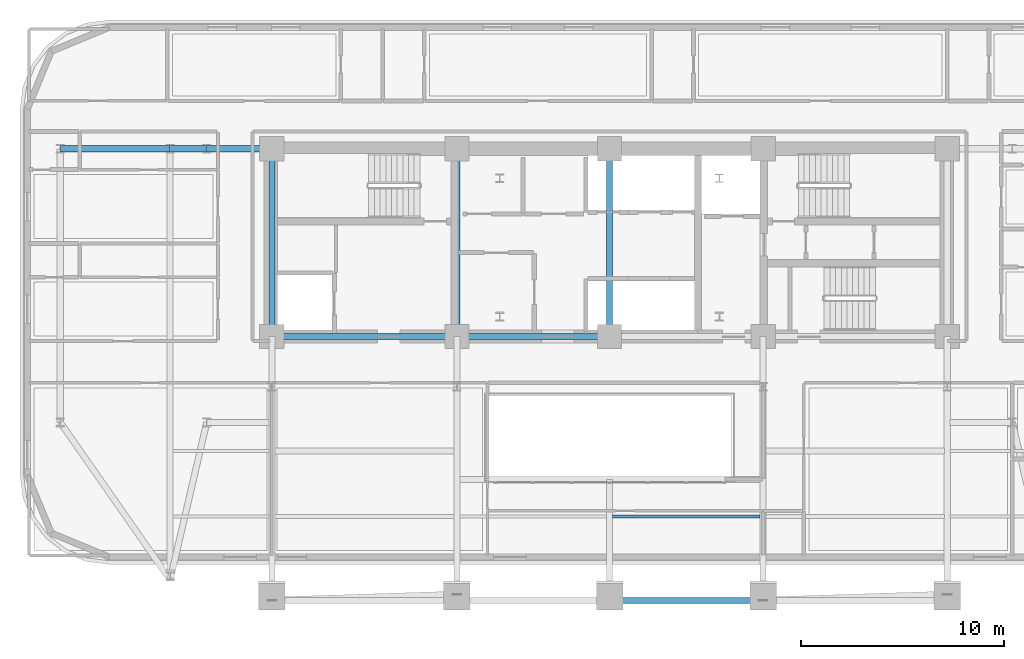
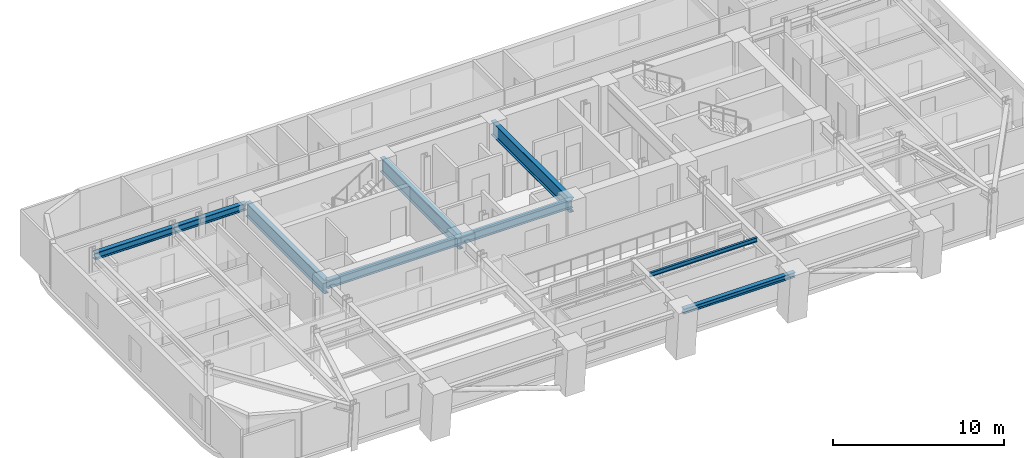
# One storey, part 3 of 14: 10 beams.
"""IFC4 building model written with IfcOpenShell, lengths in metres."""

from ifc_helpers import new_model, si_unit, direction, frame, origin, origin_2d, place, context, subcontext, project, spatial, i_section, extrude, material, material_profile, profile_set, type_object, element, save


model = new_model("IFC4")

# Units and contexts
model_context = context("Model", 3, precision=1e-05, world=origin(), true_north=direction((0.0, 1.0)))
body_context = subcontext(model_context, "Body", "Model", "MODEL_VIEW")
ifc_project = project(units=[si_unit("LENGTHUNIT", "METRE"), si_unit("AREAUNIT", "SQUARE_METRE"), si_unit("VOLUMEUNIT", "CUBIC_METRE"), si_unit("PLANEANGLEUNIT", "RADIAN"), si_unit("MASSUNIT", "GRAM", prefix="KILO")], contexts=[model_context])

# Site, building, storey
site_placement = place(None, origin())
site = spatial("IfcSite", under=ifc_project, at=site_placement, CompositionType="ELEMENT")
building_placement = place(site_placement, origin())
building = spatial("IfcBuilding", under=site, at=building_placement, Name="Zarnavel Station Tower", CompositionType="ELEMENT")
storey_placement = place(building_placement, frame((0.0, 0.0, 122.300048828125)))
storey = spatial("IfcBuildingStorey", under=building, at=storey_placement, Name="L33", CompositionType="ELEMENT", Elevation=122.300048828125)

# Beams
ifc_material_1 = material(Name="Steel S355J2", Category="steel")
ifc_material_profile_1 = material_profile(ifc_material_1, i_section(OverallWidth=0.300048828125, OverallDepth=0.360107421875, WebThickness=0.012451171875, FlangeThickness=0.0224609375, FilletRadius=0.027099609375, at=origin_2d()), Name="HEB360")
ifc_profile_set_1 = profile_set([ifc_material_profile_1], Name="Steel S355J2")
beam_type_1 = type_object("IfcBeamType", Name="EB_HEB360", PredefinedType="SPANDREL", material=ifc_profile_set_1)
beam_1_placement = place(storey_placement, frame((28.800048828125, 14.8515625, 3.06005859375), z_axis=(1.0, 0.0, 0.0), x_axis=(0.0, 1.0, 0.0)))
element("IfcBeam", 1, at=beam_1_placement, inside=storey, type_object=beam_type_1, Name="L33 South Raked Spandrel 3", PredefinedType="SPANDREL", context=body_context, shape_type="SweptSolid", body=[
    extrude(i_section(OverallWidth=0.300048828125, OverallDepth=0.360107421875, WebThickness=0.012451171875, FlangeThickness=0.0224609375, FilletRadius=0.027099609375, at=origin_2d()), origin(), (0.0, 0.0, 1.0), 7.550048828125),
])
ifc_material_2 = material(Name="Steel S355J2", Category="steel")
ifc_material_profile_2 = material_profile(ifc_material_2, i_section(OverallWidth=0.300048828125, OverallDepth=0.5, WebThickness=0.014404296875, FlangeThickness=0.028076171875, FilletRadius=0.027099609375, at=origin_2d()), Name="HEB500")
ifc_profile_set_2 = profile_set([ifc_material_profile_2], Name="Steel S355J2")
beam_type_2 = type_object("IfcBeamType", Name="FG_HEB500", PredefinedType="USERDEFINED", material=ifc_profile_set_2)
beam_2_placement = place(storey_placement, frame((1.800048828125, 37.050048828125, 2.989990234375), z_axis=(1.0, 0.0, 0.0), x_axis=(0.0, 1.0, 0.0)))
element("IfcBeam", 2, at=beam_2_placement, inside=storey, type_object=beam_type_2, Name="L33 West Wing North Tie 1", ObjectType="GIRDER", PredefinedType="USERDEFINED", context=body_context, shape_type="SweptSolid", body=[
    extrude(i_section(OverallWidth=0.300048828125, OverallDepth=0.5, WebThickness=0.014404296875, FlangeThickness=0.028076171875, FilletRadius=0.027099609375, at=origin_2d()), origin(), (0.0, 0.0, 1.0), 5.39990234375),
])
beam_3_placement = place(storey_placement, frame((7.199951171875, 37.050048828125, 2.989990234375), z_axis=(1.0, 0.0, 0.0), x_axis=(0.0, 1.0, 0.0)))
element("IfcBeam", 3, at=beam_3_placement, inside=storey, type_object=beam_type_2, Name="L33 West Wing North Tie 2", ObjectType="GIRDER", PredefinedType="USERDEFINED", context=body_context, shape_type="SweptSolid", body=[
    extrude(i_section(OverallWidth=0.300048828125, OverallDepth=0.5, WebThickness=0.014404296875, FlangeThickness=0.028076171875, FilletRadius=0.027099609375, at=origin_2d()), origin(), (0.0, 0.0, 1.0), 1.800048828125),
])
beam_4_placement = place(storey_placement, frame((9.0, 37.050048828125, 2.989990234375), z_axis=(1.0, 0.0, 0.0), x_axis=(0.0, 1.0, 0.0)))
element("IfcBeam", 4, at=beam_4_placement, inside=storey, type_object=beam_type_2, Name="L33 West Wing North Tie 3", ObjectType="GIRDER", PredefinedType="USERDEFINED", context=body_context, shape_type="SweptSolid", body=[
    extrude(i_section(OverallWidth=0.300048828125, OverallDepth=0.5, WebThickness=0.014404296875, FlangeThickness=0.028076171875, FilletRadius=0.027099609375, at=origin_2d()), origin(), (0.0, 0.0, 1.0), 3.054931640625),
])
ifc_material_3 = material(Name="Steel S355J2", Category="steel")
ifc_material_profile_3 = material_profile(ifc_material_3, i_section(OverallWidth=0.300048828125, OverallDepth=0.60009765625, WebThickness=0.015380859375, FlangeThickness=0.030029296875, FilletRadius=0.027099609375, at=origin_2d()), Name="HEB600")
ifc_profile_set_3 = profile_set([ifc_material_profile_3], Name="Steel S355J2")
beam_type_3 = type_object("IfcBeamType", Name="FG_HEB600", PredefinedType="USERDEFINED", material=ifc_profile_set_3)
beam_5_placement = place(storey_placement, frame((12.199951171875, 27.820068359375, 2.93994140625), z_axis=(1.0, 0.0, 0.0), x_axis=(0.0, 1.0, 0.0)))
element("IfcBeam", 5, at=beam_5_placement, inside=storey, type_object=beam_type_3, Name="L33 Core Front Coupling Beam 1", ObjectType="GIRDER", PredefinedType="USERDEFINED", context=body_context, shape_type="SweptSolid", body=[
    extrude(i_section(OverallWidth=0.300048828125, OverallDepth=0.60009765625, WebThickness=0.015380859375, FlangeThickness=0.030029296875, FilletRadius=0.027099609375, at=origin_2d()), origin(), (0.0, 0.0, 1.0), 9.10009765625),
])
beam_6_placement = place(storey_placement, frame((21.300048828125, 27.820068359375, 2.93994140625), z_axis=(1.0, 0.0, 0.0), x_axis=(0.0, 1.0, 0.0)))
element("IfcBeam", 6, at=beam_6_placement, inside=storey, type_object=beam_type_3, Name="L33 Core Front Coupling Beam 2", ObjectType="GIRDER", PredefinedType="USERDEFINED", context=body_context, shape_type="SweptSolid", body=[
    extrude(i_section(OverallWidth=0.300048828125, OverallDepth=0.60009765625, WebThickness=0.015380859375, FlangeThickness=0.030029296875, FilletRadius=0.027099609375, at=origin_2d()), origin(), (0.0, 0.0, 1.0), 7.5),
])
ifc_material_4 = material(Name="Steel S355J2", Category="steel")
ifc_material_profile_4 = material_profile(ifc_material_4, i_section(OverallWidth=0.14990234375, OverallDepth=0.300048828125, WebThickness=0.007080078125, FlangeThickness=0.0107421875, FilletRadius=0.014892578125, at=origin_2d()), Name="IPE300")
ifc_profile_set_4 = profile_set([ifc_material_profile_4], Name="Steel S355J2")
beam_type_4 = type_object("IfcBeamType", Name="FJ_IPE300", PredefinedType="JOIST", material=ifc_profile_set_4)
beam_7_placement = place(storey_placement, frame((28.945068359375, 18.9677734375, 3.08984375), z_axis=(1.0, 0.0, 0.0), x_axis=(0.0, 1.0, 0.0)))
element("IfcBeam", 7, at=beam_7_placement, inside=storey, type_object=beam_type_4, Name="L33 Mid-East Joist 1", PredefinedType="JOIST", context=body_context, shape_type="SweptSolid", body=[
    extrude(i_section(OverallWidth=0.14990234375, OverallDepth=0.300048828125, WebThickness=0.007080078125, FlangeThickness=0.0107421875, FilletRadius=0.014892578125, at=origin_2d()), origin(), (0.0, 0.0, 1.0), 7.260009765625),
])
ifc_material_5 = material(Name="Steel S460M", Category="steel")
ifc_material_profile_5 = material_profile(ifc_material_5, i_section(OverallWidth=0.302001953125, OverallDepth=1.008056640625, WebThickness=0.02099609375, FlangeThickness=0.0400390625, FilletRadius=0.030029296875, at=origin_2d()), Name="HEM1000")
ifc_profile_set_5 = profile_set([ifc_material_profile_5], Name="Steel S460M")
beam_type_5 = type_object("IfcBeamType", Name="TG_HEM1000", PredefinedType="USERDEFINED", material=ifc_profile_set_5)
for number, where, z_axis, x_axis, name in (
    (8, (12.199951171875, 27.820068359375, 2.73583984375), (0.0, 1.0, 0.0), (-1.0, 0.0, 0.0), "L33 Core Spine Coupling Girder 1"),
    (9, (21.300048828125, 27.820068359375, 2.73583984375), (0.0, 1.0, 0.0), (-1.0, 0.0, 0.0), "L33 Core Spine Coupling Girder 2"),
    (10, (28.800048828125, 27.820068359375, 2.73583984375), (0.0, 1.0, 0.0), (-1.0, 0.0, 0.0), "L33 Core Spine Coupling Girder 3"),
):
    element("IfcBeam", number, at=place(storey_placement, frame(where, z_axis=z_axis, x_axis=x_axis)), inside=storey, type_object=beam_type_5, Name=name, ObjectType="GIRDER", PredefinedType="USERDEFINED", context=body_context, shape_type="SweptSolid", body=[
        extrude(i_section(OverallWidth=0.302001953125, OverallDepth=1.008056640625, WebThickness=0.02099609375, FlangeThickness=0.0400390625, FilletRadius=0.030029296875, at=origin_2d()), origin(), (0.0, 0.0, 1.0), 9.22998046875),
    ])

save(model, "model.ifc")
